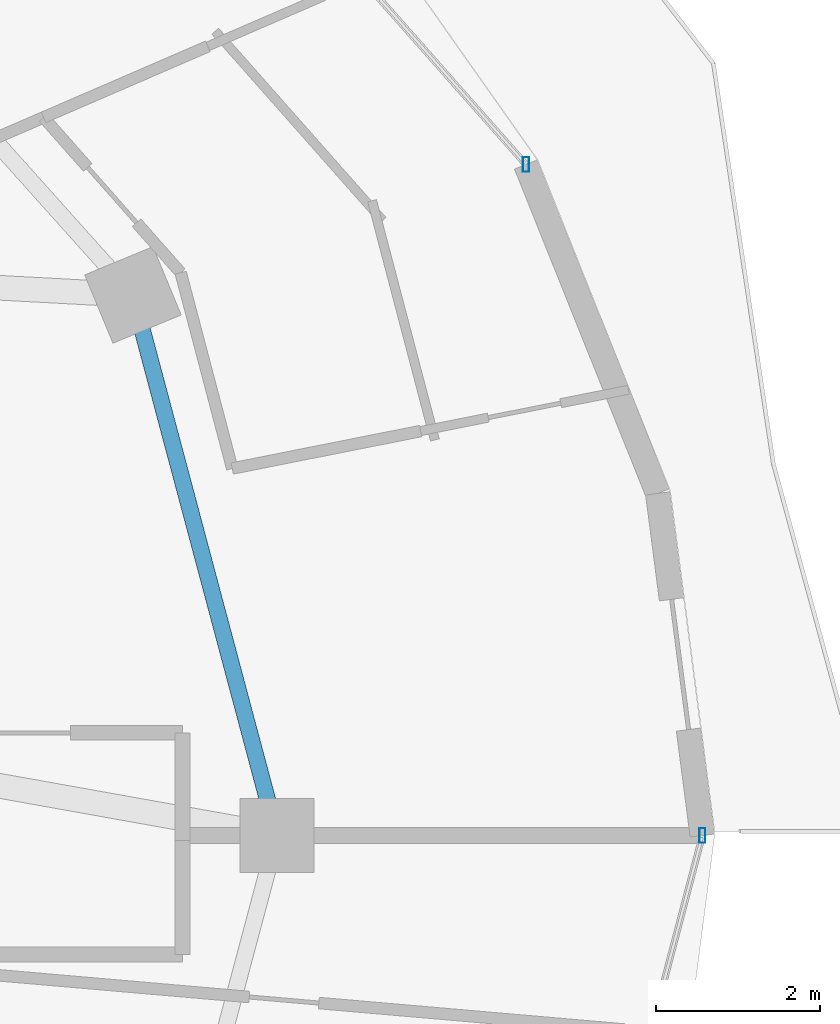
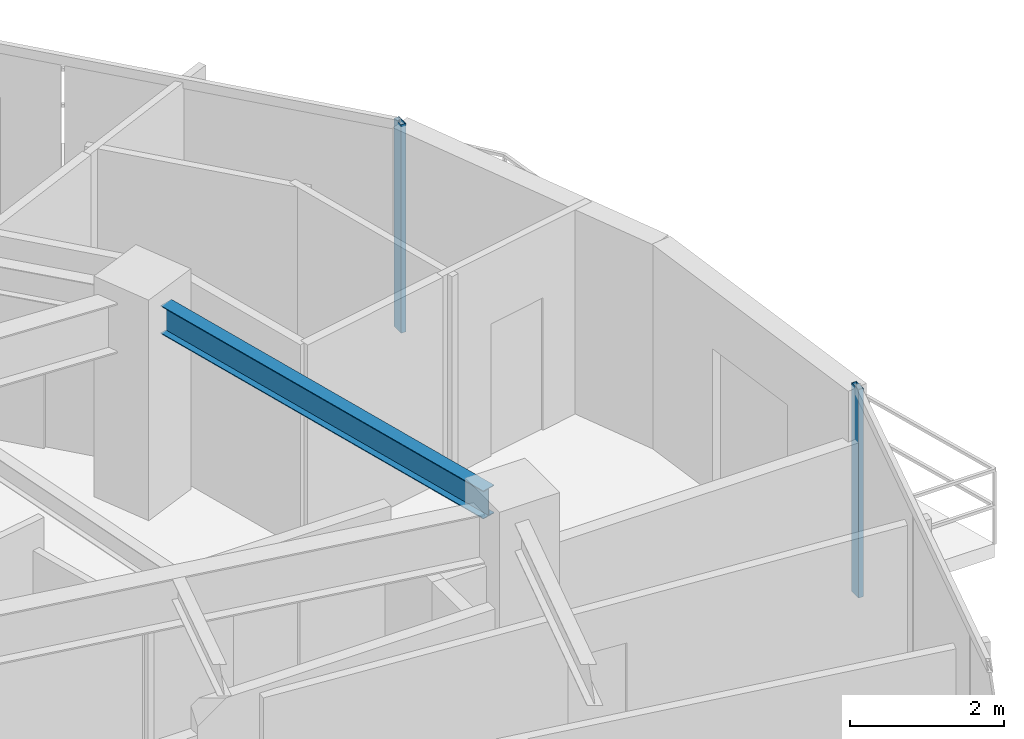
# One storey, part 15 of 34: 2 members, 1 beam, 2 elements without a shape of their own.
"""IFC4 building model written with IfcOpenShell, lengths in metres."""

from ifc_helpers import new_model, si_unit, direction, frame, origin, origin_2d, place, context, subcontext, project, spatial, hollow_rectangle, i_section, extrude, material, material_profile, profile_set, type_object, element, aggregate, save


model = new_model("IFC4")

# Units and contexts
model_context = context("Model", 3, precision=1e-05, world=origin(), true_north=direction((0.0, 1.0)))
body_context = subcontext(model_context, "Body", "Model", "MODEL_VIEW")
ifc_project = project(units=[si_unit("LENGTHUNIT", "METRE"), si_unit("AREAUNIT", "SQUARE_METRE"), si_unit("VOLUMEUNIT", "CUBIC_METRE"), si_unit("PLANEANGLEUNIT", "RADIAN"), si_unit("MASSUNIT", "GRAM", prefix="KILO")], contexts=[model_context])

# Site, building, storey
site_placement = place(None, origin())
site = spatial("IfcSite", under=ifc_project, at=site_placement, CompositionType="ELEMENT")
building_placement = place(site_placement, origin())
building = spatial("IfcBuilding", under=site, at=building_placement, Name="Vorneva Point Tower", CompositionType="ELEMENT")
storey_placement = place(building_placement, frame((0.0, 0.0, 186.10009765625)))
storey = spatial("IfcBuildingStorey", under=building, at=storey_placement, Name="L50", CompositionType="ELEMENT", Elevation=186.10009765625)

# Beam
ifc_material_1 = material(Name="Steel S355", Category="steel")
ifc_material_profile_1 = material_profile(ifc_material_1, i_section(OverallWidth=0.198974609375, OverallDepth=0.446044921875, WebThickness=0.008056640625, FlangeThickness=0.011962890625, at=origin_2d()), Name="45B1")
ifc_profile_set_1 = profile_set([ifc_material_profile_1], Name="Steel S355")
beam_type = type_object("IfcBeamType", Name="BM-SPN-45B1", PredefinedType="SPANDREL", material=ifc_profile_set_1)
beam_placement = place(storey_placement, frame((60.93798828125, 26.42041015625, 3.016845703125), z_axis=(-0.257578258003, 0.966257440336, 0.0), x_axis=(-0.966257440336, -0.257578258003, 0.0)))
element("IfcBeam", 1, at=beam_placement, inside=storey, type_object=beam_type, Name="L50 Perimeter Spandrel Ring Beam 01", PredefinedType="SPANDREL", context=body_context, shape_type="SweptSolid", body=[
    extrude(i_section(OverallWidth=0.198974609375, OverallDepth=0.446044921875, WebThickness=0.008056640625, FlangeThickness=0.011962890625, at=origin_2d()), origin(), (0.0, 0.0, 1.0), 5.94189453125),
])

# Curtain wall, member
ifc_material_2 = material(Name="Pale anodised aluminium", Category="aluminium")
curtain_wall_type = type_object("IfcCurtainWallType", Name="CW-RES-SYS", PredefinedType="NOTDEFINED", material=ifc_material_2)
curtain_wall_1_placement = place(storey_placement, origin())
curtain_wall_1 = element("IfcCurtainWall", 2, at=curtain_wall_1_placement, inside=storey, type_object=curtain_wall_type, Name="L50 Unitised Curtain Wall CW-L50-R01", PredefinedType="NOTDEFINED")
ifc_material_profile_2 = material_profile(ifc_material_2, hollow_rectangle(XDim=0.074951171875, YDim=0.179931640625, WallThickness=0.00390625, at=origin_2d()), Name="AL-MUL 180x75x4")
ifc_profile_set_2 = profile_set([ifc_material_profile_2], Name="Pale anodised aluminium")
member_type = type_object("IfcMemberType", Name="CW-MUL-180", PredefinedType="MULLION", material=ifc_profile_set_2)
member_1_placement = place(storey_placement, frame((64.0810546875, 34.17041015625, -0.0400390625), z_axis=(0.0, 0.0, 1.0), x_axis=(1.0, 0.0, 0.0)))
member_1 = element("IfcMember", 3, at=member_1_placement, type_object=member_type, Name="CW-L50-R01 Mullion 01", PredefinedType="MULLION", context=body_context, shape_type="SweptSolid", body=[
    extrude(hollow_rectangle(XDim=0.074951171875, YDim=0.179931640625, WallThickness=0.00390625, at=origin_2d()), origin(), (0.0, 0.0, 1.0), 3.31005859375),
])
aggregate(curtain_wall_1, [member_1])

curtain_wall_2_placement = place(storey_placement, origin())
curtain_wall_2 = element("IfcCurtainWall", 4, at=curtain_wall_2_placement, inside=storey, type_object=curtain_wall_type, Name="L50 Unitised Curtain Wall CW-L50-R04", PredefinedType="NOTDEFINED")
member_2_placement = place(storey_placement, frame((66.22998046875, 26.0, -0.0400390625), z_axis=(0.0, 0.0, 1.0), x_axis=(1.0, 0.0, 0.0)))
member_2 = element("IfcMember", 5, at=member_2_placement, type_object=member_type, Name="CW-L50-R04 Mullion 03", PredefinedType="MULLION", context=body_context, shape_type="SweptSolid", body=[
    extrude(hollow_rectangle(XDim=0.074951171875, YDim=0.179931640625, WallThickness=0.00390625, at=origin_2d()), origin(), (0.0, 0.0, 1.0), 3.31005859375),
])
aggregate(curtain_wall_2, [member_2])

save(model, "model.ifc")
